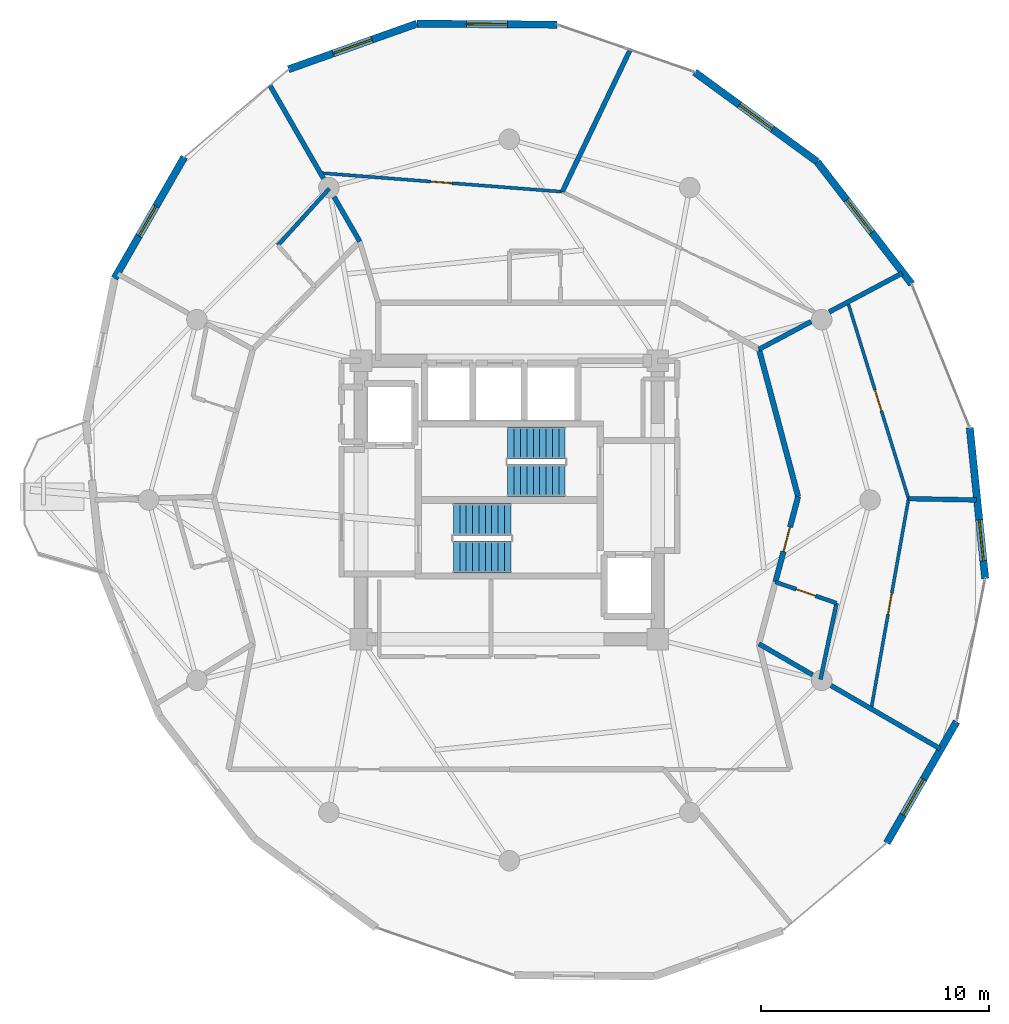
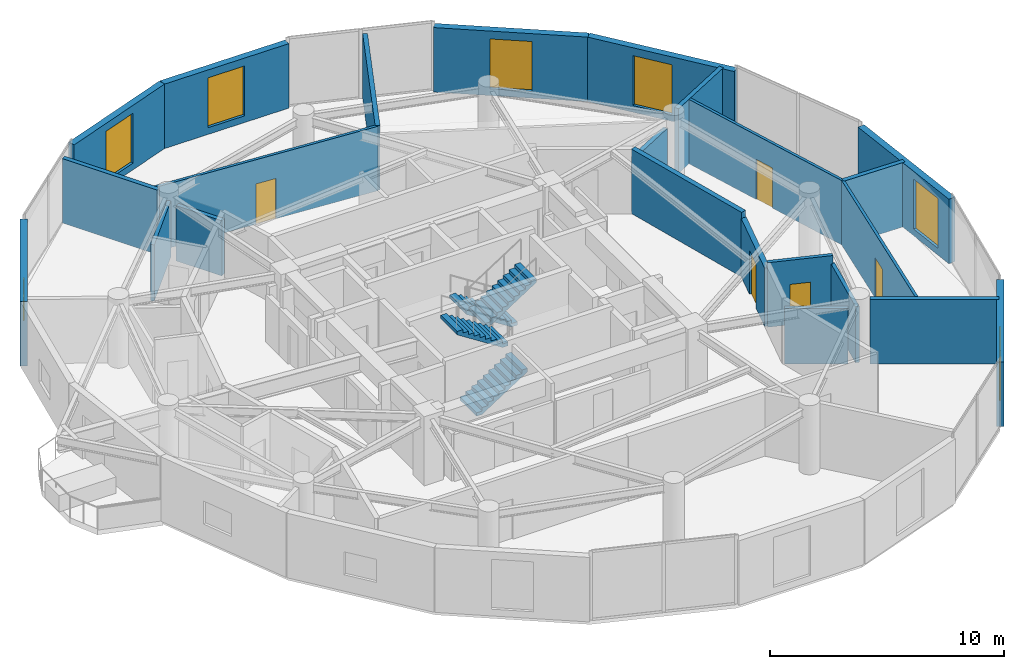
# One storey, part 14 of 17: 23 walls, 7 windows, 5 doors, 4 stair flights, 12 openings, 2 elements without a shape of their own.
"""IFC4 building model written with IfcOpenShell, lengths in metres."""

from ifc_helpers import new_model, si_unit, direction, frame, frame_2d, origin, place, context, subcontext, project, spatial, polyline, rectangle, outline, extrude, material, layer, layer_set, type_object, element, fill, aggregate, save


model = new_model("IFC4")

# Units and contexts
model_context = context("Model", 3, precision=1e-05, world=origin(), true_north=direction((0.0, 1.0)))
body_context = subcontext(model_context, "Body", "Model", "MODEL_VIEW")
ifc_project = project(units=[si_unit("LENGTHUNIT", "METRE"), si_unit("AREAUNIT", "SQUARE_METRE"), si_unit("VOLUMEUNIT", "CUBIC_METRE"), si_unit("PLANEANGLEUNIT", "RADIAN"), si_unit("MASSUNIT", "GRAM", prefix="KILO")], contexts=[model_context])

# Site, building, storey
site_placement = place(None, origin())
site = spatial("IfcSite", under=ifc_project, at=site_placement, CompositionType="ELEMENT")
building_placement = place(site_placement, origin())
building = spatial("IfcBuilding", under=site, at=building_placement, Name="Solvirekh Grand Hotel", CompositionType="ELEMENT")
storey_placement = place(building_placement, frame((0.0, 0.0, 191.199951171875)))
storey = spatial("IfcBuildingStorey", under=building, at=storey_placement, Name="L49", CompositionType="ELEMENT", Elevation=191.199951171875)

# Wall, opening, window
ifc_material_1 = material(Name="Precast concrete C45/55", Category="concrete")
ifc_layer_1 = layer(ifc_material_1, 0.320068359375)
ifc_layer_set_1 = layer_set([ifc_layer_1], Name="Precast concrete C45/55")
wall_type_1 = type_object("IfcWallType", Name="ExtLobbyWall_RC320", PredefinedType="SOLIDWALL", material=ifc_layer_set_1)
wall_1_placement = place(storey_placement, frame((19.593017578125, -9.7060546875, 0.0), z_axis=(0.0, 0.0, 1.0), x_axis=(-0.498529467111, -0.866872753305, 0.0)))
wall_1 = element("IfcWall", 1, at=wall_1_placement, inside=storey, type_object=wall_type_1, Name="L49 exterior structural wall chord 2", PredefinedType="SOLIDWALL", context=body_context, shape_type="SweptSolid", body=[
    extrude(rectangle(XDim=6.13232421875, YDim=0.320068359375, at=frame_2d((3.066162109375, 0.0))), origin(), (0.0, 0.0, 1.0), 3.360107421875),
])
opening_1_placement = place(wall_1_placement, frame((2.912109375, 0.0, 0.35009765625)))
opening_1 = element("IfcOpeningElement", 2, at=opening_1_placement, cuts=wall_1, Name="Opening W02", PredefinedType="OPENING", context=body_context, shape_type="SweptSolid", body=[
    extrude(rectangle(XDim=1.800048828125, YDim=2.60009765625, at=frame_2d((0.89990234375, 1.300048828125))), frame((0.0, 0.169921875, 0.0), z_axis=(0.0, -1.0, 0.0), x_axis=(1.0, 0.0, 0.0)), (0.0, 0.0, 1.0), 0.340087890625),
])
ifc_material_2 = material(Name="Low-E Tinted Bronze Laminated Glass", Category="aluminium")
window_type_1 = type_object("IfcWindowType", Name="Win_LobbyExt_1800X2600", PartitioningType="SINGLE_PANEL", PredefinedType="WINDOW", material=ifc_material_2)
window_1_placement = place(opening_1_placement, origin())
window_1 = element("IfcWindow", 3, at=window_1_placement, inside=storey, type_object=window_type_1, Name="L49 panoramic bronze-framed window 2", OverallHeight=2.60009765625, OverallWidth=1.800048828125, PartitioningType="SINGLE_PANEL", PredefinedType="WINDOW", context=body_context, shape_type="SweptSolid", body=[
    extrude(rectangle(XDim=1.800048828125, YDim=2.60009765625, at=frame_2d((0.89990234375, 1.300048828125))), frame((0.0, 0.030029296875, 0.0), z_axis=(0.0, -1.0, 0.0), x_axis=(1.0, 0.0, 0.0)), (0.0, 0.0, 1.0), 0.06005859375),
])
fill(opening_1, window_1)

wall_2_placement = place(storey_placement, frame((20.1689453125, 3.160888671875, 0.0), z_axis=(0.0, 0.0, 1.0), x_axis=(0.101867372905, -0.994797988708, 0.0)))
wall_2 = element("IfcWall", 4, at=wall_2_placement, inside=storey, type_object=wall_type_1, Name="L49 exterior structural wall chord 4", PredefinedType="SOLIDWALL", context=body_context, shape_type="SweptSolid", body=[
    extrude(rectangle(XDim=6.63623046875, YDim=0.320068359375, at=frame_2d((3.318115234375, 0.0))), origin(), (0.0, 0.0, 1.0), 3.360107421875),
])
opening_2_placement = place(wall_2_placement, frame((4.054931640625, 0.0, 0.35009765625)))
opening_2 = element("IfcOpeningElement", 5, at=opening_2_placement, cuts=wall_2, Name="Opening W02", PredefinedType="OPENING", context=body_context, shape_type="SweptSolid", body=[
    extrude(rectangle(XDim=1.800048828125, YDim=2.60009765625, at=frame_2d((0.89990234375, 1.300048828125))), frame((0.0, 0.169921875, 0.0), z_axis=(0.0, -1.0, 0.0), x_axis=(1.0, 0.0, 0.0)), (0.0, 0.0, 1.0), 0.340087890625),
])
window_2_placement = place(opening_2_placement, origin())
window_2 = element("IfcWindow", 6, at=window_2_placement, inside=storey, type_object=window_type_1, Name="L49 panoramic bronze-framed window 4", OverallHeight=2.60009765625, OverallWidth=1.800048828125, PartitioningType="SINGLE_PANEL", PredefinedType="WINDOW", context=body_context, shape_type="SweptSolid", body=[
    extrude(rectangle(XDim=1.800048828125, YDim=2.60009765625, at=frame_2d((0.89990234375, 1.300048828125))), frame((0.0, 0.030029296875, 0.0), z_axis=(0.0, -1.0, 0.0), x_axis=(1.0, 0.0, 0.0)), (0.0, 0.0, 1.0), 0.06005859375),
])
fill(opening_2, window_2)

wall_3_placement = place(storey_placement, frame((13.47998046875, 14.821044921875, 0.0), z_axis=(0.0, 0.0, 1.0), x_axis=(0.611810985794, -0.791003993455, 0.0)))
wall_3 = element("IfcWall", 7, at=wall_3_placement, inside=storey, type_object=wall_type_1, Name="L49 exterior structural wall chord 6", PredefinedType="SOLIDWALL", context=body_context, shape_type="SweptSolid", body=[
    extrude(rectangle(XDim=6.784912109375, YDim=0.320068359375, at=frame_2d((3.392578125, 0.0))), origin(), (0.0, 0.0, 1.0), 3.360107421875),
])
opening_3_placement = place(wall_3_placement, frame((2.123046875, 0.0, 0.35009765625)))
opening_3 = element("IfcOpeningElement", 8, at=opening_3_placement, cuts=wall_3, Name="Opening W02", PredefinedType="OPENING", context=body_context, shape_type="SweptSolid", body=[
    extrude(rectangle(XDim=1.800048828125, YDim=2.60009765625, at=frame_2d((0.89990234375, 1.300048828125))), frame((0.0, 0.169921875, 0.0), z_axis=(0.0, -1.0, 0.0), x_axis=(1.0, 0.0, 0.0)), (0.0, 0.0, 1.0), 0.340087890625),
])
window_3_placement = place(opening_3_placement, origin())
window_3 = element("IfcWindow", 9, at=window_3_placement, inside=storey, type_object=window_type_1, Name="L49 panoramic bronze-framed window 6", OverallHeight=2.60009765625, OverallWidth=1.800048828125, PartitioningType="SINGLE_PANEL", PredefinedType="WINDOW", context=body_context, shape_type="SweptSolid", body=[
    extrude(rectangle(XDim=1.800048828125, YDim=2.60009765625, at=frame_2d((0.89990234375, 1.300048828125))), frame((0.0, 0.030029296875, 0.0), z_axis=(0.0, -1.0, 0.0), x_axis=(1.0, 0.0, 0.0)), (0.0, 0.0, 1.0), 0.06005859375),
])
fill(opening_3, window_3)

wall_4_placement = place(storey_placement, frame((8.1220703125, 18.738037109375, 0.0), z_axis=(0.0, 0.0, 1.0), x_axis=(0.80727653181, -0.590173365368, 0.0)))
wall_4 = element("IfcWall", 10, at=wall_4_placement, inside=storey, type_object=wall_type_1, Name="L49 exterior structural wall chord 7", PredefinedType="SOLIDWALL", context=body_context, shape_type="SweptSolid", body=[
    extrude(rectangle(XDim=6.636962890625, YDim=0.320068359375, at=frame_2d((3.318359375, 0.0))), origin(), (0.0, 0.0, 1.0), 3.360107421875),
])
opening_4_placement = place(wall_4_placement, frame((2.4189453125, 0.0, 0.35009765625)))
opening_4 = element("IfcOpeningElement", 11, at=opening_4_placement, cuts=wall_4, Name="Opening W02", PredefinedType="OPENING", context=body_context, shape_type="SweptSolid", body=[
    extrude(rectangle(XDim=1.800048828125, YDim=2.60009765625, at=frame_2d((0.89990234375, 1.300048828125))), frame((0.0, 0.169921875, 0.0), z_axis=(0.0, -1.0, 0.0), x_axis=(1.0, 0.0, 0.0)), (0.0, 0.0, 1.0), 0.340087890625),
])
window_4_placement = place(opening_4_placement, origin())
window_4 = element("IfcWindow", 12, at=window_4_placement, inside=storey, type_object=window_type_1, Name="L49 panoramic bronze-framed window 7", OverallHeight=2.60009765625, OverallWidth=1.800048828125, PartitioningType="SINGLE_PANEL", PredefinedType="WINDOW", context=body_context, shape_type="SweptSolid", body=[
    extrude(rectangle(XDim=1.800048828125, YDim=2.60009765625, at=frame_2d((0.89990234375, 1.300048828125))), frame((0.0, 0.030029296875, 0.0), z_axis=(0.0, -1.0, 0.0), x_axis=(1.0, 0.0, 0.0)), (0.0, 0.0, 1.0), 0.06005859375),
])
fill(opening_4, window_4)

wall_5_placement = place(storey_placement, frame((-4.050048828125, 20.864013671875, 0.0), z_axis=(0.0, 0.0, 1.0), x_axis=(0.999974321908, -0.007166276942, 0.0)))
wall_5 = element("IfcWall", 13, at=wall_5_placement, inside=storey, type_object=wall_type_1, Name="L49 exterior structural wall chord 9", PredefinedType="SOLIDWALL", context=body_context, shape_type="SweptSolid", body=[
    extrude(rectangle(XDim=6.13232421875, YDim=0.320068359375, at=frame_2d((3.066162109375, 0.0))), origin(), (0.0, 0.0, 1.0), 3.360107421875),
])
opening_5_placement = place(wall_5_placement, frame((2.166015625, 0.0, 0.35009765625)))
opening_5 = element("IfcOpeningElement", 14, at=opening_5_placement, cuts=wall_5, Name="Opening W02", PredefinedType="OPENING", context=body_context, shape_type="SweptSolid", body=[
    extrude(rectangle(XDim=1.800048828125, YDim=2.60009765625, at=frame_2d((0.89990234375, 1.300048828125))), frame((0.0, 0.169921875, 0.0), z_axis=(0.0, -1.0, 0.0), x_axis=(1.0, 0.0, 0.0)), (0.0, 0.0, 1.0), 0.340087890625),
])
window_5_placement = place(opening_5_placement, origin())
window_5 = element("IfcWindow", 15, at=window_5_placement, inside=storey, type_object=window_type_1, Name="L49 panoramic bronze-framed window 9", OverallHeight=2.60009765625, OverallWidth=1.800048828125, PartitioningType="SINGLE_PANEL", PredefinedType="WINDOW", context=body_context, shape_type="SweptSolid", body=[
    extrude(rectangle(XDim=1.800048828125, YDim=2.60009765625, at=frame_2d((0.89990234375, 1.300048828125))), frame((0.0, 0.030029296875, 0.0), z_axis=(0.0, -1.0, 0.0), x_axis=(1.0, 0.0, 0.0)), (0.0, 0.0, 1.0), 0.06005859375),
])
fill(opening_5, window_5)

wall_6_placement = place(storey_placement, frame((-9.672119140625, 18.865966796875, 0.0), z_axis=(0.0, 0.0, 1.0), x_axis=(0.942262899703, 0.334874047732, 0.0)))
wall_6 = element("IfcWall", 16, at=wall_6_placement, inside=storey, type_object=wall_type_1, Name="L49 exterior structural wall chord 10", PredefinedType="SOLIDWALL", context=body_context, shape_type="SweptSolid", body=[
    extrude(rectangle(XDim=5.966552734375, YDim=0.320068359375, at=frame_2d((2.9833984375, 0.0))), origin(), (0.0, 0.0, 1.0), 3.360107421875),
])
opening_6_placement = place(wall_6_placement, frame((2.0830078125, 0.0, 0.35009765625)))
opening_6 = element("IfcOpeningElement", 17, at=opening_6_placement, cuts=wall_6, Name="Opening W02", PredefinedType="OPENING", context=body_context, shape_type="SweptSolid", body=[
    extrude(rectangle(XDim=1.800048828125, YDim=2.60009765625, at=frame_2d((0.89990234375, 1.300048828125))), frame((0.0, 0.169921875, 0.0), z_axis=(0.0, -1.0, 0.0), x_axis=(1.0, 0.0, 0.0)), (0.0, 0.0, 1.0), 0.340087890625),
])
window_6_placement = place(opening_6_placement, origin())
window_6 = element("IfcWindow", 18, at=window_6_placement, inside=storey, type_object=window_type_1, Name="L49 panoramic bronze-framed window 10", OverallHeight=2.60009765625, OverallWidth=1.800048828125, PartitioningType="SINGLE_PANEL", PredefinedType="WINDOW", context=body_context, shape_type="SweptSolid", body=[
    extrude(rectangle(XDim=1.800048828125, YDim=2.60009765625, at=frame_2d((0.89990234375, 1.300048828125))), frame((0.0, 0.030029296875, 0.0), z_axis=(0.0, -1.0, 0.0), x_axis=(1.0, 0.0, 0.0)), (0.0, 0.0, 1.0), 0.06005859375),
])
fill(opening_6, window_6)

wall_7_placement = place(storey_placement, frame((-17.29296875, 9.7060546875, 0.0), z_axis=(0.0, 0.0, 1.0), x_axis=(0.498499548546, 0.866889958472, 0.0)))
wall_7 = element("IfcWall", 19, at=wall_7_placement, inside=storey, type_object=wall_type_1, Name="L49 cantilevered deck support wall chord 12", PredefinedType="SOLIDWALL", context=body_context, shape_type="SweptSolid", body=[
    extrude(rectangle(XDim=6.132080078125, YDim=0.320068359375, at=frame_2d((3.06591796875, 0.0))), origin(), (0.0, 0.0, 1.0), 3.360107421875),
])
opening_7_placement = place(wall_7_placement, frame((2.14404296875, 0.0, 0.85009765625)))
opening_7 = element("IfcOpeningElement", 20, at=opening_7_placement, cuts=wall_7, Name="Opening W05", PredefinedType="OPENING", context=body_context, shape_type="SweptSolid", body=[
    extrude(rectangle(XDim=1.5, YDim=1.199951171875, at=frame_2d((0.75, 0.60009765625))), frame((0.0, 0.169921875, 0.0), z_axis=(0.0, -1.0, 0.0), x_axis=(1.0, 0.0, 0.0)), (0.0, 0.0, 1.0), 0.340087890625),
])
window_type_2 = type_object("IfcWindowType", Name="Win_PlantVent_1500X1200", PartitioningType="SINGLE_PANEL", PredefinedType="WINDOW", material=ifc_material_2)
window_7_placement = place(opening_7_placement, origin())
window_7 = element("IfcWindow", 21, at=window_7_placement, inside=storey, type_object=window_type_2, Name="L49 bronze-framed vision ribbon window 12", OverallHeight=1.199951171875, OverallWidth=1.5, PartitioningType="SINGLE_PANEL", PredefinedType="WINDOW", context=body_context, shape_type="SweptSolid", body=[
    extrude(rectangle(XDim=1.5, YDim=1.199951171875, at=frame_2d((0.75, 0.60009765625))), frame((0.0, 0.030029296875, 0.0), z_axis=(0.0, -1.0, 0.0), x_axis=(1.0, 0.0, 0.0)), (0.0, 0.0, 1.0), 0.06005859375),
])
fill(opening_7, window_7)

# Wall
ifc_material_3 = material(Name="Acoustic Gypsum Partition Assembly")
ifc_layer_2 = layer(ifc_material_3, 0.239990234375)
ifc_layer_set_2 = layer_set([ifc_layer_2], Name="Acoustic Gypsum Partition Assembly")
wall_type_2 = type_object("IfcWallType", Name="Part_Corridor_240", PredefinedType="PARTITIONING", material=ifc_layer_set_2)
wall_8_placement = place(storey_placement, frame((12.64990234375, 0.14990234375, 0.0), z_axis=(0.0, 0.0, 1.0), x_axis=(-0.256934024047, 0.966428945804, 0.0)))
element("IfcWall", 22, at=wall_8_placement, inside=storey, type_object=wall_type_2, Name="L49 Executive Suite 5105 Living Room corridor wall 1", PredefinedType="PARTITIONING", context=body_context, shape_type="SweptSolid", body=[
    extrude(rectangle(XDim=6.67431640625, YDim=0.239990234375, at=frame_2d((3.337158203125, 0.0))), origin(), (0.0, 0.0, 1.0), 3.360107421875),
])

# Wall, opening, door
wall_9_placement = place(storey_placement, frame((11.655029296875, -3.591064453125, 0.0), z_axis=(0.0, 0.0, 1.0), x_axis=(0.257007037833, 0.966409531464, 0.0)))
wall_9 = element("IfcWall", 23, at=wall_9_placement, inside=storey, type_object=wall_type_2, Name="L49 Executive Suite 5105 Living Room entrance wall", PredefinedType="PARTITIONING", context=body_context, shape_type="SweptSolid", body=[
    extrude(rectangle(XDim=3.87109375, YDim=0.239990234375, at=frame_2d((1.935546875, 0.0))), origin(), (0.0, 0.0, 1.0), 3.0419921875),
])
opening_8_placement = place(wall_9_placement, frame((1.385986328125, 0.0, 0.0)))
opening_8 = element("IfcOpeningElement", 24, at=opening_8_placement, cuts=wall_9, Name="Opening D08", PredefinedType="OPENING", context=body_context, shape_type="SweptSolid", body=[
    extrude(rectangle(XDim=1.10009765625, YDim=2.300048828125, at=frame_2d((0.550048828125, 1.14990234375))), frame((0.0, 0.1298828125, 0.0), z_axis=(0.0, -1.0, 0.0), x_axis=(1.0, 0.0, 0.0)), (0.0, 0.0, 1.0), 0.260009765625),
])
ifc_material_4 = material(Name="Fire-Rated Steel Door Assembly", Category="steel")
door_type_1 = type_object("IfcDoorType", Name="Door_SuiteEntry_1100X2300", OperationType="NOTDEFINED", PredefinedType="DOOR", material=ifc_material_4)
door_1_placement = place(opening_8_placement, origin())
door_1 = element("IfcDoor", 25, at=door_1_placement, inside=storey, type_object=door_type_1, Name="L49 Executive Suite 5105 Living Room entrance door", OperationType="SINGLE_SWING_LEFT", OverallHeight=2.300048828125, OverallWidth=1.10009765625, PredefinedType="DOOR", context=body_context, shape_type="SweptSolid", body=[
    extrude(rectangle(XDim=1.10009765625, YDim=2.300048828125, at=frame_2d((0.550048828125, 1.14990234375))), frame((0.0, 0.02490234375, 0.0), z_axis=(0.0, -1.0, 0.0), x_axis=(1.0, 0.0, 0.0)), (0.0, 0.0, 1.0), 0.050048828125),
])
fill(opening_8, door_1)

ifc_layer_3 = layer(ifc_material_3, 0.135009765625)
ifc_layer_set_3 = layer_set([ifc_layer_3], Name="Acoustic Gypsum Partition Assembly")
wall_type_3 = type_object("IfcWallType", Name="Part_RoomInt_135", PredefinedType="PARTITIONING", material=ifc_layer_set_3)
wall_10_placement = place(storey_placement, frame((-8.27587890625, 14.322021484375, 0.0), z_axis=(0.0, 0.0, 1.0), x_axis=(0.997018431195, -0.077163772963, 0.0)))
wall_10 = element("IfcWall", 26, at=wall_10_placement, inside=storey, type_object=wall_type_3, Name="L49 Panorama Suite 5101 Observatory Library bedroom screen wall", PredefinedType="PARTITIONING", context=body_context, shape_type="SweptSolid", body=[
    extrude(rectangle(XDim=10.627685546875, YDim=0.135009765625, at=frame_2d((5.31396484375, 0.0))), origin(), (0.0, 0.0, 1.0), 3.360107421875),
])
opening_9_placement = place(wall_10_placement, frame((4.839111328125, 0.0, 0.0)))
opening_9 = element("IfcOpeningElement", 27, at=opening_9_placement, cuts=wall_10, Name="Opening D10", PredefinedType="OPENING", context=body_context, shape_type="SweptSolid", body=[
    extrude(rectangle(XDim=0.949951171875, YDim=2.10009765625, at=frame_2d((0.47509765625, 1.050048828125))), frame((0.0, 0.07763671875, 0.0), z_axis=(0.0, -1.0, 0.0), x_axis=(1.0, 0.0, 0.0)), (0.0, 0.0, 1.0), 0.155029296875),
])
ifc_material_5 = material(Name="Anodized Bronze Aluminium 6063-T6", Category="aluminium")
door_type_2 = type_object("IfcDoorType", Name="Door_RoomInt_950X2100", OperationType="NOTDEFINED", PredefinedType="DOOR", material=ifc_material_5)
door_2_placement = place(opening_9_placement, origin())
door_2 = element("IfcDoor", 28, at=door_2_placement, inside=storey, type_object=door_type_2, Name="L49 Panorama Suite 5101 Observatory Library master bedroom door", OperationType="SINGLE_SWING_LEFT", OverallHeight=2.10009765625, OverallWidth=0.949951171875, PredefinedType="DOOR", context=body_context, shape_type="SweptSolid", body=[
    extrude(rectangle(XDim=0.949951171875, YDim=2.10009765625, at=frame_2d((0.47509765625, 1.050048828125))), frame((0.0, 0.02490234375, 0.0), z_axis=(0.0, -1.0, 0.0), x_axis=(1.0, 0.0, 0.0)), (0.0, 0.0, 1.0), 0.050048828125),
])
fill(opening_9, door_2)

wall_11_placement = place(storey_placement, frame((15.85205078125, -9.14697265625, 0.0), z_axis=(0.0, 0.0, 1.0), x_axis=(0.17500689307, 0.984567208157, 0.0)))
wall_11 = element("IfcWall", 29, at=wall_11_placement, inside=storey, type_object=wall_type_3, Name="L49 Executive Suite 5105 Living Room bedroom screen wall", PredefinedType="PARTITIONING", context=body_context, shape_type="SweptSolid", body=[
    extrude(rectangle(XDim=9.34814453125, YDim=0.135009765625, at=frame_2d((4.674072265625, 0.0))), origin(), (0.0, 0.0, 1.0), 3.360107421875),
])
opening_10_placement = place(wall_11_placement, frame((4.198974609375, 0.0, 0.0)))
opening_10 = element("IfcOpeningElement", 30, at=opening_10_placement, cuts=wall_11, Name="Opening D10", PredefinedType="OPENING", context=body_context, shape_type="SweptSolid", body=[
    extrude(rectangle(XDim=0.949951171875, YDim=2.10009765625, at=frame_2d((0.47509765625, 1.050048828125))), frame((0.0, 0.07763671875, 0.0), z_axis=(0.0, -1.0, 0.0), x_axis=(1.0, 0.0, 0.0)), (0.0, 0.0, 1.0), 0.155029296875),
])
door_3_placement = place(opening_10_placement, origin())
door_3 = element("IfcDoor", 31, at=door_3_placement, inside=storey, type_object=door_type_2, Name="L49 Executive Suite 5105 Living Room master bedroom door", OperationType="SINGLE_SWING_RIGHT", OverallHeight=2.10009765625, OverallWidth=0.949951171875, PredefinedType="DOOR", context=body_context, shape_type="SweptSolid", body=[
    extrude(rectangle(XDim=0.949951171875, YDim=2.10009765625, at=frame_2d((0.47509765625, 1.050048828125))), frame((0.0, 0.02490234375, 0.0), z_axis=(0.0, -1.0, 0.0), x_axis=(1.0, 0.0, 0.0)), (0.0, 0.0, 1.0), 0.050048828125),
])
fill(opening_10, door_3)

wall_12_placement = place(storey_placement, frame((17.488037109375, 0.056884765625, 0.0), z_axis=(0.0, 0.0, 1.0), x_axis=(-0.295455960415, 0.955356360451, 0.0)))
wall_12 = element("IfcWall", 32, at=wall_12_placement, inside=storey, type_object=wall_type_3, Name="L49 Executive Suite 5105 Panorama Suite Study bedroom screen wall", PredefinedType="PARTITIONING", context=body_context, shape_type="SweptSolid", body=[
    extrude(rectangle(XDim=9.013427734375, YDim=0.135009765625, at=frame_2d((4.5068359375, 0.0))), origin(), (0.0, 0.0, 1.0), 3.360107421875),
])
opening_11_placement = place(wall_12_placement, frame((4.031982421875, 0.0, 0.0)))
opening_11 = element("IfcOpeningElement", 33, at=opening_11_placement, cuts=wall_12, Name="Opening D10", PredefinedType="OPENING", context=body_context, shape_type="SweptSolid", body=[
    extrude(rectangle(XDim=0.949951171875, YDim=2.10009765625, at=frame_2d((0.47509765625, 1.050048828125))), frame((0.0, 0.07763671875, 0.0), z_axis=(0.0, -1.0, 0.0), x_axis=(1.0, 0.0, 0.0)), (0.0, 0.0, 1.0), 0.155029296875),
])
door_4_placement = place(opening_11_placement, origin())
door_4 = element("IfcDoor", 34, at=door_4_placement, inside=storey, type_object=door_type_2, Name="L49 Executive Suite 5105 Panorama Suite Study master bedroom door", OperationType="SINGLE_SWING_LEFT", OverallHeight=2.10009765625, OverallWidth=0.949951171875, PredefinedType="DOOR", context=body_context, shape_type="SweptSolid", body=[
    extrude(rectangle(XDim=0.949951171875, YDim=2.10009765625, at=frame_2d((0.47509765625, 1.050048828125))), frame((0.0, 0.02490234375, 0.0), z_axis=(0.0, -1.0, 0.0), x_axis=(1.0, 0.0, 0.0)), (0.0, 0.0, 1.0), 0.050048828125),
])
fill(opening_11, door_4)

# Walls
ifc_layer_4 = layer(ifc_material_3, 0.2099609375)
ifc_layer_set_4 = layer_set([ifc_layer_4], Name="Acoustic Gypsum Partition Assembly")
wall_type_4 = type_object("IfcWallType", Name="Part_SuiteDemise_210", PredefinedType="PARTITIONING", material=ifc_layer_set_4)
wall_13_placement = place(storey_placement, frame((10.93505859375, 6.60009765625, 0.0), z_axis=(0.0, 0.0, 1.0), x_axis=(0.883041221412, 0.469295430711, 0.0)))
element("IfcWall", 35, at=wall_13_placement, inside=storey, type_object=wall_type_4, Name="L49 suite radial wall 2 (A)", PredefinedType="PARTITIONING", context=body_context, shape_type="SweptSolid", body=[
    extrude(rectangle(XDim=2.588623046875, YDim=0.2099609375, at=frame_2d((1.29443359375, 0.0))), origin(), (0.0, 0.0, 1.0), 2.8759765625),
])
wall_14_placement = place(storey_placement, frame((14.011962890625, 8.236083984375, 0.0), z_axis=(0.0, 0.0, 1.0), x_axis=(0.883051974866, 0.469275196112, 0.0)))
element("IfcWall", 36, at=wall_14_placement, inside=storey, type_object=wall_type_4, Name="L49 suite radial wall 2 (B)", PredefinedType="PARTITIONING", context=body_context, shape_type="SweptSolid", body=[
    extrude(rectangle(XDim=3.620361328125, YDim=0.2099609375, at=frame_2d((1.81005859375, 0.0))), origin(), (0.0, 0.0, 1.0), 3.360107421875),
])
wall_15_placement = place(storey_placement, frame((-6.550048828125, 11.322021484375, 0.0), z_axis=(0.0, 0.0, 1.0), x_axis=(-0.498754501597, 0.866743299447, 0.0)))
element("IfcWall", 37, at=wall_15_placement, inside=storey, type_object=wall_type_4, Name="L49 suite radial wall 5 (A)", PredefinedType="PARTITIONING", context=body_context, shape_type="SweptSolid", body=[
    extrude(rectangle(XDim=2.249755859375, YDim=0.2099609375, at=frame_2d((1.125, 0.0))), origin(), (0.0, 0.0, 1.0), 2.8759765625),
])
wall_16_placement = place(storey_placement, frame((-8.14111328125, 14.0869140625, 0.0), z_axis=(0.0, 0.0, 1.0), x_axis=(-0.498683982258, 0.866783874931, 0.0)))
element("IfcWall", 38, at=wall_16_placement, inside=storey, type_object=wall_type_4, Name="L49 suite radial wall 5 (B)", PredefinedType="PARTITIONING", context=body_context, shape_type="SweptSolid", body=[
    extrude(rectangle(XDim=4.67578125, YDim=0.2099609375, at=frame_2d((2.337890625, 0.0))), origin(), (0.0, 0.0, 1.0), 3.360107421875),
])
wall_17_placement = place(storey_placement, frame((10.93505859375, -6.300048828125, 0.0), z_axis=(0.0, 0.0, 1.0), x_axis=(0.865378990195, -0.50111795351, 0.0)))
element("IfcWall", 39, at=wall_17_placement, inside=storey, type_object=wall_type_4, Name="L49 suite radial wall 12 (A)", PredefinedType="PARTITIONING", context=body_context, shape_type="SweptSolid", body=[
    extrude(rectangle(XDim=2.709716796875, YDim=0.2099609375, at=frame_2d((1.35498046875, 0.0))), origin(), (0.0, 0.0, 1.0), 2.8759765625),
])
wall_18_placement = place(storey_placement, frame((14.093017578125, -8.12890625, 0.0), z_axis=(0.0, 0.0, 1.0), x_axis=(0.865389908278, -0.501099098633, 0.0)))
element("IfcWall", 40, at=wall_18_placement, inside=storey, type_object=wall_type_4, Name="L49 suite radial wall 12 (B)", PredefinedType="PARTITIONING", context=body_context, shape_type="SweptSolid", body=[
    extrude(rectangle(XDim=5.51416015625, YDim=0.2099609375, at=frame_2d((2.757080078125, 0.0))), origin(), (0.0, 0.0, 1.0), 3.360107421875),
])
wall_19_placement = place(storey_placement, frame((2.320068359375, 13.501953125, 0.0), z_axis=(0.0, 0.0, 1.0), x_axis=(0.431352014973, 0.902183705893, 0.0)))
element("IfcWall", 41, at=wall_19_placement, inside=storey, type_object=wall_type_4, Name="L49 Panorama Suite 5101 North Sitting Room dividing partition 1", PredefinedType="PARTITIONING", context=body_context, shape_type="SweptSolid", body=[
    extrude(rectangle(XDim=6.845703125, YDim=0.2099609375, at=frame_2d((3.4228515625, 0.0))), origin(), (0.0, 0.0, 1.0), 3.360107421875),
])
wall_20_placement = place(storey_placement, frame((17.488037109375, 0.056884765625, 0.0), z_axis=(0.0, 0.0, 1.0), x_axis=(0.999815991263, -0.019182899042, 0.0)))
element("IfcWall", 42, at=wall_20_placement, inside=storey, type_object=wall_type_4, Name="L49 Executive Suite 5105 Living Room dividing partition 1", PredefinedType="PARTITIONING", context=body_context, shape_type="SweptSolid", body=[
    extrude(rectangle(XDim=2.96533203125, YDim=0.2099609375, at=frame_2d((1.482666015625, 0.0))), origin(), (0.0, 0.0, 1.0), 3.360107421875),
])
ifc_layer_5 = layer(ifc_material_3, 0.175048828125)
ifc_layer_set_5 = layer_set([ifc_layer_5], Name="Acoustic Gypsum Partition Assembly")
wall_type_5 = type_object("IfcWallType", Name="Plumb_Ensuite_175", PredefinedType="PLUMBINGWALL", material=ifc_layer_set_5)
wall_21_placement = place(storey_placement, frame((-7.884033203125, 13.639892578125, 0.0), z_axis=(0.0, 0.0, 1.0), x_axis=(-0.671062027172, -0.74140121101, 0.0)))
element("IfcWall", 43, at=wall_21_placement, inside=storey, type_object=wall_type_5, Name="L49 En-suite Bathroom 5102 outer plumbing wall", PredefinedType="PLUMBINGWALL", context=body_context, shape_type="SweptSolid", body=[
    extrude(rectangle(XDim=3.352783203125, YDim=0.175048828125, at=frame_2d((1.67626953125, 0.0))), origin(), (0.0, 0.0, 1.0), 2.928955078125),
])
wall_22_placement = place(storey_placement, frame((13.631103515625, -7.861083984375, 0.0), z_axis=(0.0, 0.0, 1.0), x_axis=(0.205480954127, 0.978661114733, 0.0)))
element("IfcWall", 44, at=wall_22_placement, inside=storey, type_object=wall_type_5, Name="L49 En-suite Bathroom 5105 outer plumbing wall", PredefinedType="PLUMBINGWALL", context=body_context, shape_type="SweptSolid", body=[
    extrude(rectangle(XDim=3.416015625, YDim=0.175048828125, at=frame_2d((1.7080078125, 0.0))), origin(), (0.0, 0.0, 1.0), 2.928955078125),
])

# Wall, opening, door
wall_23_placement = place(storey_placement, frame((11.655029296875, -3.591064453125, 0.0), z_axis=(0.0, 0.0, 1.0), x_axis=(0.944985049189, -0.327113522816, 0.0)))
wall_23 = element("IfcWall", 45, at=wall_23_placement, inside=storey, type_object=wall_type_5, Name="L49 En-suite Bathroom 5105 entry plumbing wall", PredefinedType="PLUMBINGWALL", context=body_context, shape_type="SweptSolid", body=[
    extrude(rectangle(XDim=2.833984375, YDim=0.175048828125, at=frame_2d((1.4169921875, 0.0))), origin(), (0.0, 0.0, 1.0), 3.360107421875),
])
opening_12_placement = place(wall_23_placement, frame((0.967041015625, 0.0, 0.0)))
opening_12 = element("IfcOpeningElement", 46, at=opening_12_placement, cuts=wall_23, Name="Opening D09", PredefinedType="OPENING", context=body_context, shape_type="SweptSolid", body=[
    extrude(rectangle(XDim=0.89990234375, YDim=2.10009765625, at=frame_2d((0.449951171875, 1.050048828125))), frame((0.0, 0.09765625, 0.0), z_axis=(0.0, -1.0, 0.0), x_axis=(1.0, 0.0, 0.0)), (0.0, 0.0, 1.0), 0.195068359375),
])
door_type_3 = type_object("IfcDoorType", Name="Door_Ensuite_900X2100", OperationType="NOTDEFINED", PredefinedType="DOOR", material=ifc_material_5)
door_5_placement = place(opening_12_placement, origin())
door_5 = element("IfcDoor", 47, at=door_5_placement, inside=storey, type_object=door_type_3, Name="L49 En-suite Bathroom 5105 door", OperationType="SINGLE_SWING_RIGHT", OverallHeight=2.10009765625, OverallWidth=0.89990234375, PredefinedType="DOOR", context=body_context, shape_type="SweptSolid", body=[
    extrude(rectangle(XDim=0.89990234375, YDim=2.10009765625, at=frame_2d((0.449951171875, 1.050048828125))), frame((0.0, 0.02490234375, 0.0), z_axis=(0.0, -1.0, 0.0), x_axis=(1.0, 0.0, 0.0)), (0.0, 0.0, 1.0), 0.050048828125),
])
fill(opening_12, door_5)

# Stair, stair flights
ifc_material_6 = material(Name="Concrete C40/50", Category="concrete")
stair_type = type_object("IfcStairType", Name="Stair_Core_1450", PredefinedType="HALF_TURN_STAIR", material=ifc_material_6)
stair_1_placement = place(storey_placement, origin())
stair_1 = element("IfcStair", 48, at=stair_1_placement, inside=storey, type_object=stair_type, Name="L49 Enclosed exit stair ST-1", PredefinedType="HALF_TURN_STAIR")
stair_flight_type = type_object("IfcStairFlightType", Name="Flight_Core_1450", PredefinedType="STRAIGHT", material=ifc_material_6)
stair_flight_1_placement = place(storey_placement, frame((-2.449951171875, -2.5, 0.0), z_axis=(0.0, 0.0, 1.0), x_axis=(1.0, 0.0, 0.0)))
stair_flight_1 = element("IfcStairFlight", 49, at=stair_flight_1_placement, type_object=stair_flight_type, Name="ST-1 flight 1", NumberOfRisers=10, NumberOfTreads=9, PredefinedType="STRAIGHT", RiserHeight=0.18, TreadLength=0.28, context=body_context, shape_type="SweptSolid", body=[
    extrude(outline(polyline([(0.0, 0.0), (0.0, 0.179931640625), (0.280029296875, 0.179931640625), (0.280029296875, 0.360107421875), (0.56005859375, 0.360107421875), (0.56005859375, 0.5400390625), (0.840087890625, 0.5400390625), (0.840087890625, 0.719970703125), (1.1201171875, 0.719970703125), (1.1201171875, 0.89990234375), (1.39990234375, 0.89990234375), (1.39990234375, 1.080078125), (1.679931640625, 1.080078125), (1.679931640625, 1.260009765625), (1.9599609375, 1.260009765625), (1.9599609375, 1.43994140625), (2.239990234375, 1.43994140625), (2.239990234375, 1.6201171875), (2.52001953125, 1.6201171875), (2.52001953125, 1.800048828125), (2.52001953125, 1.44189453125), (0.277099609375, 0.0), (0.0, 0.0)])), frame((0.0, 0.699951171875, 0.0), z_axis=(0.0, -1.0, 0.0), x_axis=(1.0, 0.0, 0.0)), (0.0, 0.0, 1.0), 1.39990234375),
])
stair_flight_2_placement = place(storey_placement, frame((0.070068359375, -0.85009765625, 1.800048828125), z_axis=(0.0, 0.0, 1.0), x_axis=(-1.0, 0.0, 0.0)))
stair_flight_2 = element("IfcStairFlight", 50, at=stair_flight_2_placement, type_object=stair_flight_type, Name="ST-1 flight 2", NumberOfRisers=10, NumberOfTreads=9, PredefinedType="STRAIGHT", RiserHeight=0.18, TreadLength=0.28, context=body_context, shape_type="SweptSolid", body=[
    extrude(outline(polyline([(0.0, 0.0), (0.0, 0.179931640625), (0.280029296875, 0.179931640625), (0.280029296875, 0.360107421875), (0.56005859375, 0.360107421875), (0.56005859375, 0.5400390625), (0.840087890625, 0.5400390625), (0.840087890625, 0.719970703125), (1.1201171875, 0.719970703125), (1.1201171875, 0.89990234375), (1.39990234375, 0.89990234375), (1.39990234375, 1.080078125), (1.679931640625, 1.080078125), (1.679931640625, 1.260009765625), (1.9599609375, 1.260009765625), (1.9599609375, 1.43994140625), (2.239990234375, 1.43994140625), (2.239990234375, 1.6201171875), (2.52001953125, 1.6201171875), (2.52001953125, 1.800048828125), (2.52001953125, 1.44189453125), (0.277099609375, 0.0), (0.0, 0.0)])), frame((0.0, 0.699951171875, 0.0), z_axis=(0.0, -1.0, 0.0), x_axis=(1.0, 0.0, 0.0)), (0.0, 0.0, 1.0), 1.39990234375),
])
aggregate(stair_1, [stair_flight_1, stair_flight_2])

stair_2_placement = place(storey_placement, origin())
stair_2 = element("IfcStair", 51, at=stair_2_placement, inside=storey, type_object=stair_type, Name="L49 Enclosed exit stair ST-2", PredefinedType="HALF_TURN_STAIR")
stair_flight_3_placement = place(storey_placement, frame((2.449951171875, 2.5, 0.0), z_axis=(0.0, 0.0, 1.0), x_axis=(-1.0, 0.0, 0.0)))
stair_flight_3 = element("IfcStairFlight", 52, at=stair_flight_3_placement, type_object=stair_flight_type, Name="ST-2 flight 1", NumberOfRisers=10, NumberOfTreads=9, PredefinedType="STRAIGHT", RiserHeight=0.18, TreadLength=0.28, context=body_context, shape_type="SweptSolid", body=[
    extrude(outline(polyline([(0.0, 0.0), (0.0, 0.179931640625), (0.280029296875, 0.179931640625), (0.280029296875, 0.360107421875), (0.56005859375, 0.360107421875), (0.56005859375, 0.5400390625), (0.840087890625, 0.5400390625), (0.840087890625, 0.719970703125), (1.1201171875, 0.719970703125), (1.1201171875, 0.89990234375), (1.39990234375, 0.89990234375), (1.39990234375, 1.080078125), (1.679931640625, 1.080078125), (1.679931640625, 1.260009765625), (1.9599609375, 1.260009765625), (1.9599609375, 1.43994140625), (2.239990234375, 1.43994140625), (2.239990234375, 1.6201171875), (2.52001953125, 1.6201171875), (2.52001953125, 1.800048828125), (2.52001953125, 1.44189453125), (0.277099609375, 0.0), (0.0, 0.0)])), frame((0.0, 0.699951171875, 0.0), z_axis=(0.0, -1.0, 0.0), x_axis=(1.0, 0.0, 0.0)), (0.0, 0.0, 1.0), 1.39990234375),
])
stair_flight_4_placement = place(storey_placement, frame((-0.070068359375, 0.85009765625, 1.800048828125), z_axis=(0.0, 0.0, 1.0), x_axis=(1.0, 0.0, 0.0)))
stair_flight_4 = element("IfcStairFlight", 53, at=stair_flight_4_placement, type_object=stair_flight_type, Name="ST-2 flight 2", NumberOfRisers=10, NumberOfTreads=9, PredefinedType="STRAIGHT", RiserHeight=0.18, TreadLength=0.28, context=body_context, shape_type="SweptSolid", body=[
    extrude(outline(polyline([(0.0, 0.0), (0.0, 0.179931640625), (0.280029296875, 0.179931640625), (0.280029296875, 0.360107421875), (0.56005859375, 0.360107421875), (0.56005859375, 0.5400390625), (0.840087890625, 0.5400390625), (0.840087890625, 0.719970703125), (1.1201171875, 0.719970703125), (1.1201171875, 0.89990234375), (1.39990234375, 0.89990234375), (1.39990234375, 1.080078125), (1.679931640625, 1.080078125), (1.679931640625, 1.260009765625), (1.9599609375, 1.260009765625), (1.9599609375, 1.43994140625), (2.239990234375, 1.43994140625), (2.239990234375, 1.6201171875), (2.52001953125, 1.6201171875), (2.52001953125, 1.800048828125), (2.52001953125, 1.44189453125), (0.277099609375, 0.0), (0.0, 0.0)])), frame((0.0, 0.699951171875, 0.0), z_axis=(0.0, -1.0, 0.0), x_axis=(1.0, 0.0, 0.0)), (0.0, 0.0, 1.0), 1.39990234375),
])
aggregate(stair_2, [stair_flight_3, stair_flight_4])

save(model, "model.ifc")
